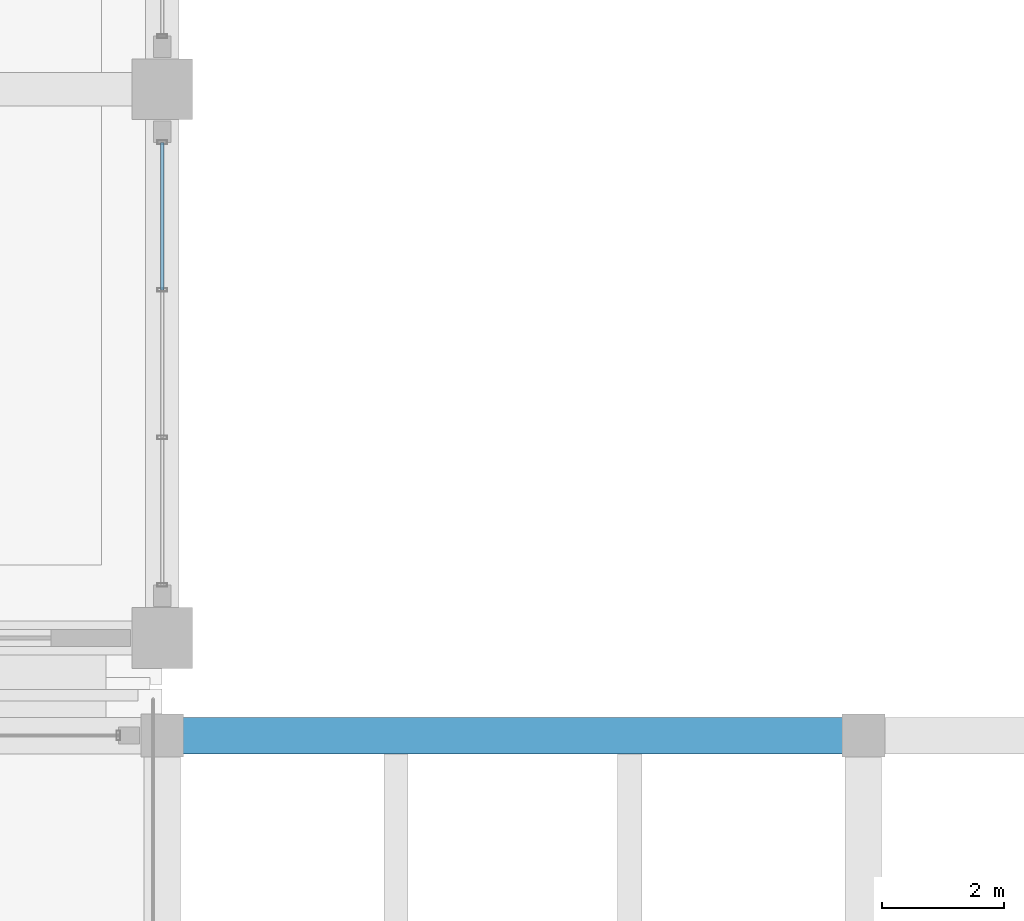
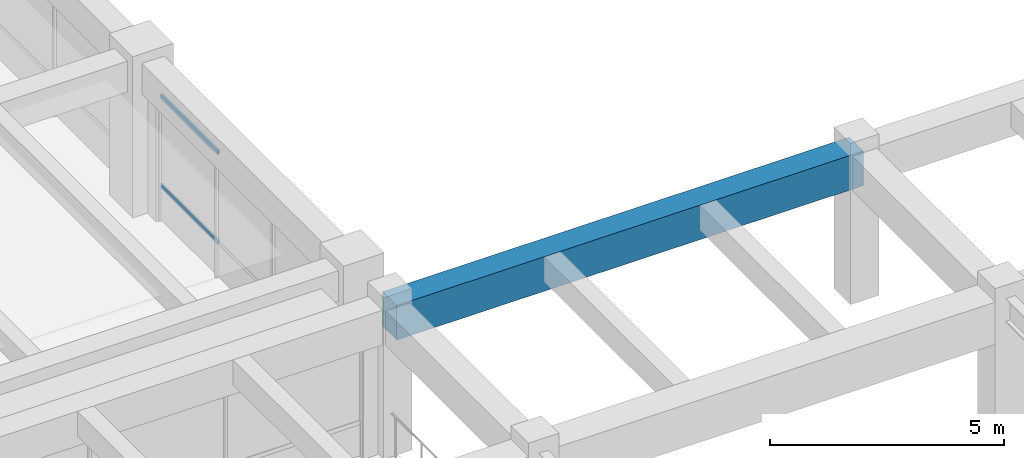
# One storey, part 32 of 98: 2 members, 1 beam, 1 element without a shape of its own.
"""IFC4 building model written with IfcOpenShell, lengths in metres."""

from ifc_helpers import new_model, si_unit, direction, frame, origin, origin_2d, place, context, subcontext, project, spatial, rectangle, hollow_rectangle, extrude, material, material_profile, profile_set, type_object, element, aggregate, save


model = new_model("IFC4")

# Units and contexts
model_context = context("Model", 3, precision=1e-05, world=origin(), true_north=direction((0.0, 1.0)))
body_context = subcontext(model_context, "Body", "Model", "MODEL_VIEW")
ifc_project = project(units=[si_unit("LENGTHUNIT", "METRE"), si_unit("AREAUNIT", "SQUARE_METRE"), si_unit("VOLUMEUNIT", "CUBIC_METRE"), si_unit("PLANEANGLEUNIT", "RADIAN"), si_unit("MASSUNIT", "GRAM", prefix="KILO")], contexts=[model_context])

# Site, building, storey
site_placement = place(None, origin())
site = spatial("IfcSite", under=ifc_project, at=site_placement, CompositionType="ELEMENT")
building_placement = place(site_placement, origin())
building = spatial("IfcBuilding", under=site, at=building_placement, Name="Ologun Quay Terminus", CompositionType="ELEMENT")
storey_placement = place(building_placement, frame((0.0, 0.0, 4.199951171875)))
storey = spatial("IfcBuildingStorey", under=building, at=storey_placement, Name="L01", CompositionType="ELEMENT", Elevation=4.199951171875)

# Curtain wall, members
ifc_material_1 = material(Name="Aluminium 6063-T6", Category="aluminium")
curtain_wall_type = type_object("IfcCurtainWallType", Name="Rain-Garden West Courtyard Curtain Wall L01 8200x3850", PredefinedType="USERDEFINED", material=ifc_material_1)
curtain_wall_placement = place(storey_placement, origin())
curtain_wall = element("IfcCurtainWall", 1, at=curtain_wall_placement, inside=storey, type_object=curtain_wall_type, Name="CW-14 Curtain Wall CW-L01-099", ObjectType="UNITISED CURTAIN WALL", PredefinedType="USERDEFINED")
ifc_material_2 = material(Name="Aluminium 6063-T6", Category="aluminium")
ifc_material_profile_1 = material_profile(ifc_material_2, hollow_rectangle(XDim=0.054931640625, YDim=0.110107421875, WallThickness=0.00390625, at=origin_2d()), Name="ALU 110x55x4")
ifc_profile_set_1 = profile_set([ifc_material_profile_1], Name="Aluminium 6063-T6")
member_type = type_object("IfcMemberType", Name="Courtyard Screen Transom 110x55", PredefinedType="USERDEFINED", material=ifc_profile_set_1)
member_1_placement = place(storey_placement, frame((69.0, 91.510009765625, 0.900146484375), z_axis=(0.0, 1.0, 0.0), x_axis=(-1.0, 0.0, 0.0)))
member_1 = element("IfcMember", 2, at=member_1_placement, type_object=member_type, Name="CW-L01-099 Transom B3-1", ObjectType="TRANSOM", PredefinedType="USERDEFINED", context=body_context, shape_type="SweptSolid", body=[
    extrude(hollow_rectangle(XDim=0.054931640625, YDim=0.110107421875, WallThickness=0.00390625, at=origin_2d()), origin(), (0.0, 0.0, 1.0), 2.419921875),
])
member_2_placement = place(storey_placement, frame((69.0, 91.510009765625, 3.22998046875), z_axis=(0.0, 1.0, 0.0), x_axis=(-1.0, 0.0, 0.0)))
member_2 = element("IfcMember", 3, at=member_2_placement, type_object=member_type, Name="CW-L01-099 Transom B3-2", ObjectType="TRANSOM", PredefinedType="USERDEFINED", context=body_context, shape_type="SweptSolid", body=[
    extrude(hollow_rectangle(XDim=0.054931640625, YDim=0.110107421875, WallThickness=0.00390625, at=origin_2d()), origin(), (0.0, 0.0, 1.0), 2.419921875),
])
aggregate(curtain_wall, [member_1, member_2])

# Beam
ifc_material_3 = material(Name="Concrete C40/50", Category="concrete")
ifc_material_profile_2 = material_profile(ifc_material_3, rectangle(XDim=0.60009765625, YDim=0.89990234375, at=origin_2d()), Name="RC 600x900")
ifc_profile_set_2 = profile_set([ifc_material_profile_2], Name="Concrete C40/50")
beam_type = type_object("IfcBeamType", Name="Station Frame Girder 600x900", PredefinedType="BEAM", material=ifc_profile_set_2)
beam_placement = place(storey_placement, frame((69.0, 84.199951171875, 3.400146484375), z_axis=(1.0, 0.0, 0.0), x_axis=(0.0, 1.0, 0.0)))
element("IfcBeam", 4, at=beam_placement, inside=storey, type_object=beam_type, Name="B3 Beam 7/G1 L01", PredefinedType="BEAM", context=body_context, shape_type="SweptSolid", body=[
    extrude(rectangle(XDim=0.60009765625, YDim=0.89990234375, at=origin_2d()), origin(), (0.0, 0.0, 1.0), 11.5),
])

save(model, "model.ifc")
